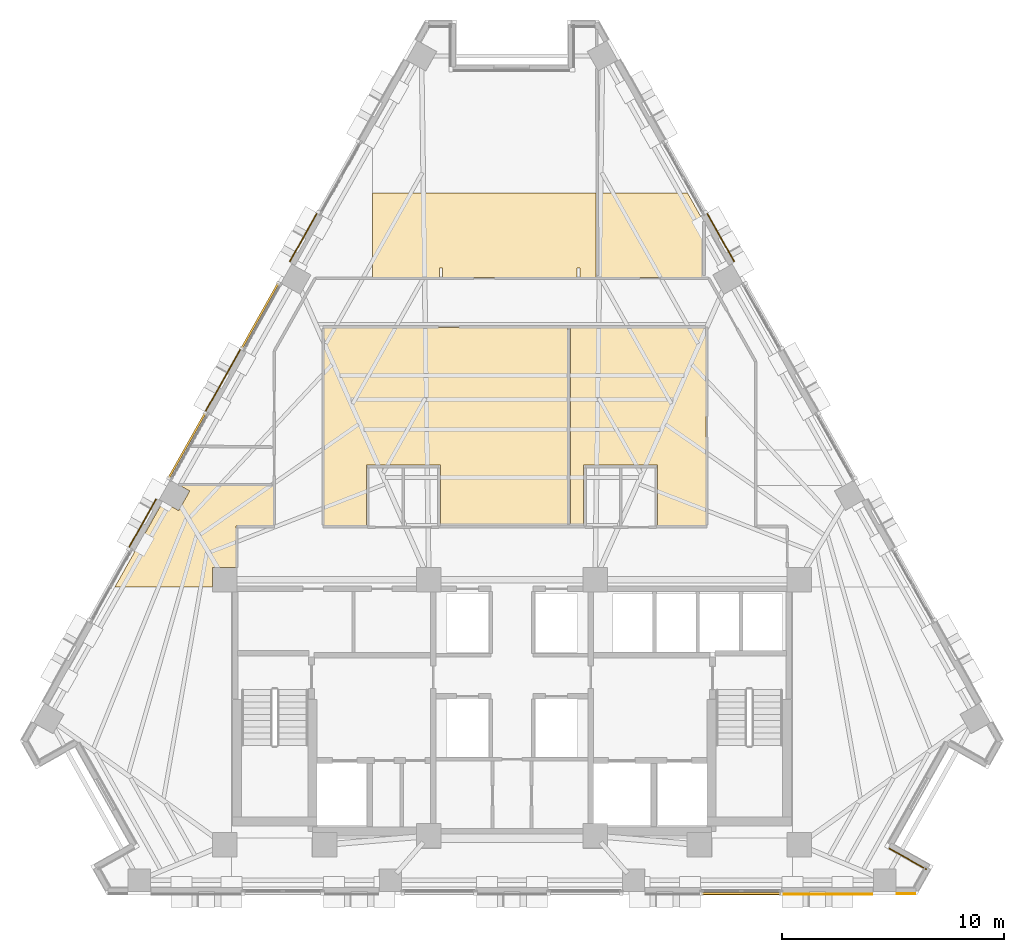
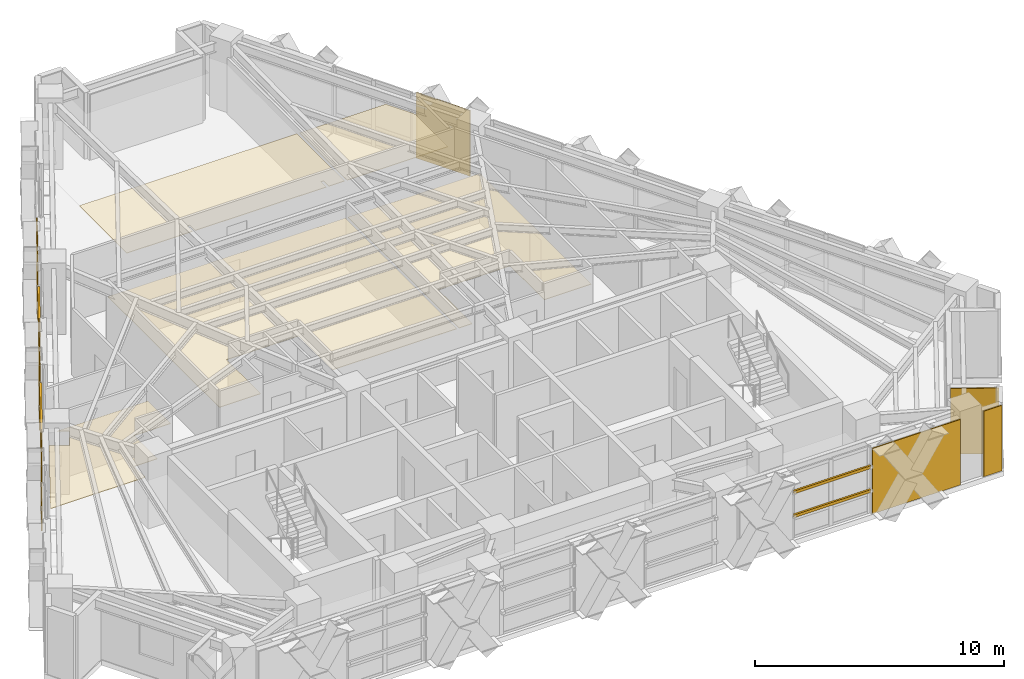
# One storey, part 12 of 14: 12 coverings, 6 shading devices.
"""IFC4 building model written with IfcOpenShell, lengths in metres."""

from ifc_helpers import new_model, si_unit, direction, frame, origin, origin_2d, place, context, subcontext, project, spatial, polyline, rectangle, outline, extrude, material, layer, layer_set, material_profile, profile_set, type_object, element, save


model = new_model("IFC4")

# Units and contexts
model_context = context("Model", 3, precision=1e-05, world=origin(), true_north=direction((0.0, 1.0)))
body_context = subcontext(model_context, "Body", "Model", "MODEL_VIEW")
ifc_project = project(units=[si_unit("LENGTHUNIT", "METRE"), si_unit("AREAUNIT", "SQUARE_METRE"), si_unit("VOLUMEUNIT", "CUBIC_METRE"), si_unit("PLANEANGLEUNIT", "RADIAN"), si_unit("MASSUNIT", "GRAM", prefix="KILO")], contexts=[model_context])

# Site, building, storey
site_placement = place(None, origin())
site = spatial("IfcSite", under=ifc_project, at=site_placement, CompositionType="ELEMENT")
building_placement = place(site_placement, origin())
building = spatial("IfcBuilding", under=site, at=building_placement, Name="Quenlor Broadcast Tower", CompositionType="ELEMENT")
storey_placement = place(building_placement, frame((0.0, 0.0, 154.5)))
storey = spatial("IfcBuildingStorey", under=building, at=storey_placement, Name="L42", CompositionType="ELEMENT", Elevation=154.5)

# Coverings
ifc_material_1 = material(Name="Acoustic Mineral Fibre Board", Category="other")
ifc_layer_1 = layer(ifc_material_1, 0.02490234375)
ifc_layer_set_1 = layer_set([ifc_layer_1], Name="Acoustic Perforated Mineral Tile Ceiling 25")
covering_type_1 = type_object("IfcCoveringType", Name="Acoustic Perforated Mineral Tile Ceiling 25", PredefinedType="CEILING", material=ifc_layer_set_1)
covering_1_placement = place(storey_placement, frame((0.0, 0.0, 2.375)))
element("IfcCovering", 1, at=covering_1_placement, inside=storey, type_object=covering_type_1, Name="L42 Acoustic Ceiling L42-31", PredefinedType="CEILING", context=body_context, shape_type="SweptSolid", body=[
    extrude(outline(polyline([(3.780029296875, 8.830078125), (3.06005859375, 8.830078125), (3.06005859375, 9.25), (2.93994140625, 9.25), (2.93994140625, 8.830078125), (-3.139892578125, 8.830078125), (-3.139892578125, 9.25), (-3.260009765625, 9.25), (-3.260009765625, 8.830078125), (-6.300048828125, 8.830078125), (-6.300048828125, 12.64990234375), (3.780029296875, 12.64990234375), (3.780029296875, 8.830078125)])), origin(), (0.0, 0.0, 1.0), 0.02490234375),
])
covering_2_placement = place(storey_placement, frame((0.0, 0.0, 2.375)))
element("IfcCovering", 2, at=covering_2_placement, inside=storey, type_object=covering_type_1, Name="L42 Acoustic Ceiling L42-32", PredefinedType="CEILING", context=body_context, shape_type="SweptSolid", body=[
    extrude(outline(polyline([(3.89990234375, 12.64990234375), (7.90673828125, 12.64990234375), (8.580078125, 11.453125), (8.580078125, 8.830078125), (3.89990234375, 8.830078125), (3.89990234375, 12.64990234375)])), origin(), (0.0, 0.0, 1.0), 0.02490234375),
])
covering_3_placement = place(storey_placement, frame((0.0, 0.0, 2.375)))
element("IfcCovering", 3, at=covering_3_placement, inside=storey, type_object=covering_type_1, Name="L42 Acoustic Ceiling L42-35", PredefinedType="CEILING", context=body_context, shape_type="SweptSolid", body=[
    extrude(outline(polyline([(6.570068359375, -2.3701171875), (6.570068359375, 0.3701171875), (3.22998046875, 0.3701171875), (3.22998046875, -2.3701171875), (2.909912109375, -2.3701171875), (2.631103515625, -2.3701171875), (2.631103515625, 6.570068359375), (2.909912109375, 6.570068359375), (8.7548828125, 6.570068359375), (8.7548828125, -2.3701171875), (6.570068359375, -2.3701171875)])), origin(), (0.0, 0.0, 1.0), 0.02490234375),
])
covering_4_placement = place(storey_placement, frame((0.0, 0.0, 2.375)))
element("IfcCovering", 4, at=covering_4_placement, inside=storey, type_object=covering_type_1, Name="L42 Acoustic Ceiling L42-36", PredefinedType="CEILING", context=body_context, shape_type="SweptSolid", body=[
    extrude(outline(polyline([(-3.22998046875, -2.3701171875), (-3.22998046875, 0.3701171875), (-3.2900390625, 0.3701171875), (-6.570068359375, 0.3701171875), (-6.570068359375, -2.3701171875), (-8.485107421875, -2.3701171875), (-8.485107421875, 6.570068359375), (-3.2900390625, 6.570068359375), (2.510986328125, 6.570068359375), (2.510986328125, -2.3701171875), (-3.22998046875, -2.3701171875)])), origin(), (0.0, 0.0, 1.0), 0.02490234375),
])
covering_5_placement = place(storey_placement, frame((0.0, 0.0, 2.375)))
element("IfcCovering", 5, at=covering_5_placement, inside=storey, type_object=covering_type_1, Name="L42 Acoustic Ceiling L42-38", PredefinedType="CEILING", context=body_context, shape_type="SweptSolid", body=[
    extrude(outline(polyline([(-15.7431640625, -1.281494140625), (-15.0302734375, -1.6826171875), (-14.5322265625, -0.797119140625), (-14.952880859375, -0.560302734375), (-10.7451171875, -0.560302734375), (-10.7451171875, -2.3701171875), (-12.43994140625, -2.3701171875), (-12.43994140625, -4.241943359375), (-13.508056640625, -4.241943359375), (-13.508056640625, -5.1201171875), (-17.90234375, -5.1201171875), (-15.7431640625, -1.281494140625)])), origin(), (0.0, 0.0, 1.0), 0.02490234375),
])

# Shading devices
ifc_material_2 = material(Name="Architectural Terracotta Ceramic", Category="masonry")
ifc_material_profile = material_profile(ifc_material_2, rectangle(XDim=0.090087890625, YDim=0.139892578125, at=origin_2d()))
ifc_profile_set = profile_set([ifc_material_profile], Name="Architectural Terracotta Ceramic BAG90x140")
shading_device_type = type_object("IfcShadingDeviceType", Name="Copper Terracotta Baguette Solar Screen 140", PredefinedType="USERDEFINED", material=ifc_profile_set)
for number, where, z_axis, x_axis, name in (
    (6, (12.114013671875, -18.952880859375, 1.169921875), (-1.0, 0.0, 0.0), (0.0, -1.0, 0.0), "L42 Terracotta Baguette Screen 1"),
    (7, (12.114013671875, -18.952880859375, 2.340087890625), (-1.0, 0.0, 0.0), (0.0, -1.0, 0.0), "L42 Terracotta Baguette Screen 2"),
):
    element("IfcShadingDevice", number, at=place(storey_placement, frame(where, z_axis=z_axis, x_axis=x_axis)), inside=storey, type_object=shading_device_type, Name=name, ObjectType="BAGUETTE", PredefinedType="USERDEFINED", context=body_context, shape_type="SweptSolid", body=[
        extrude(rectangle(XDim=0.090087890625, YDim=0.139892578125, at=origin_2d()), origin(), (0.0, 0.0, 1.0), 3.56396484375),
    ])
for number, where, z_axis, x_axis, name in (
    (8, (-15.4775390625, -0.211181640625, 1.169921875), (0.490288918116, 0.871559967399, 0.0), (-0.871559967399, 0.490288918116, 0.0), "L42 Terracotta Baguette Screen 1"),
    (9, (-15.4775390625, -0.211181640625, 2.340087890625), (0.490288918116, 0.871559967399, 0.0), (-0.871559967399, 0.490288918116, 0.0), "L42 Terracotta Baguette Screen 2"),
    (10, (-12.18310546875, 5.64501953125, 1.169921875), (0.490257780007, 0.871577483155, 0.0), (-0.871577483155, 0.490257780007, 0.0), "L42 Terracotta Baguette Screen 1"),
    (11, (-12.18310546875, 5.64501953125, 2.340087890625), (0.490257780007, 0.871577483155, 0.0), (-0.871577483155, 0.490257780007, 0.0), "L42 Terracotta Baguette Screen 2"),
):
    element("IfcShadingDevice", number, at=place(storey_placement, frame(where, z_axis=z_axis, x_axis=x_axis)), inside=storey, type_object=shading_device_type, Name=name, ObjectType="BAGUETTE", PredefinedType="USERDEFINED", context=body_context, shape_type="SweptSolid", body=[
        extrude(rectangle(XDim=0.090087890625, YDim=0.139892578125, at=origin_2d()), origin(), (0.0, 0.0, 1.0), 3.350341796875),
    ])

# Coverings
ifc_material_3 = material(Name="Architectural Terracotta Ceramic", Category="masonry")
ifc_layer_2 = layer(ifc_material_3, 0.044921875)
ifc_layer_set_2 = layer_set([ifc_layer_2], Name="Fluted Terracotta Rainscreen Cladding Panel")
covering_type_2 = type_object("IfcCoveringType", Name="Fluted Terracotta Rainscreen Cladding Panel", PredefinedType="CLADDING", material=ifc_layer_set_2)
covering_6_placement = place(storey_placement, frame((0.0, 0.0, 0.02001953125)))
element("IfcCovering", 12, at=covering_6_placement, inside=storey, type_object=covering_type_2, Name="L42 Terracotta Rainscreen Cladding L42-SHD-SS0", PredefinedType="CLADDING", context=body_context, shape_type="SweptSolid", body=[
    extrude(outline(polyline([(18.179931640625, -18.93701171875), (17.343505859375, -18.93701171875), (17.343505859375, -18.98193359375), (18.179931640625, -18.98193359375), (18.179931640625, -18.93701171875)])), origin(), (0.0, 0.0, 1.0), 3.2099609375),
])
covering_7_placement = place(storey_placement, frame((0.0, 0.0, 0.02001953125)))
element("IfcCovering", 13, at=covering_7_placement, inside=storey, type_object=covering_type_2, Name="L42 Terracotta Rainscreen Cladding L42-SA-SP1", PredefinedType="CLADDING", context=body_context, shape_type="SweptSolid", body=[
    extrude(outline(polyline([(16.25341796875, -18.95703125), (12.178955078125, -18.95703125), (12.178955078125, -19.001953125), (16.25341796875, -19.001953125), (16.25341796875, -18.95703125)])), origin(), (0.0, 0.0, 1.0), 3.2099609375),
])
covering_8_placement = place(storey_placement, frame((0.0, 0.0, 0.02001953125)))
element("IfcCovering", 14, at=covering_8_placement, inside=storey, type_object=covering_type_2, Name="L42 Terracotta Rainscreen Cladding L42-NEA-SP2", PredefinedType="CLADDING", context=body_context, shape_type="SweptSolid", body=[
    extrude(outline(polyline([(8.7705078125, 11.720458984375), (10.0, 9.53466796875), (10.039306640625, 9.556640625), (8.809814453125, 11.742431640625), (8.7705078125, 11.720458984375)])), origin(), (0.0, 0.0, 1.0), 3.2099609375),
])
covering_9_placement = place(storey_placement, frame((0.0, 0.0, 0.02001953125)))
element("IfcCovering", 15, at=covering_9_placement, inside=storey, type_object=covering_type_2, Name="L42 Terracotta Rainscreen Cladding L42-NWA-SP2", PredefinedType="CLADDING", context=body_context, shape_type="SweptSolid", body=[
    extrude(outline(polyline([(-17.254638671875, -3.362548828125), (-16.025146484375, -1.1767578125), (-16.064453125, -1.15478515625), (-17.2939453125, -3.340576171875), (-17.254638671875, -3.362548828125)])), origin(), (0.0, 0.0, 1.0), 3.2099609375),
])
covering_10_placement = place(storey_placement, frame((0.0, 0.0, 0.02001953125)))
element("IfcCovering", 16, at=covering_10_placement, inside=storey, type_object=covering_type_2, Name="L42 Terracotta Rainscreen Cladding L42-NWC-SP1", PredefinedType="CLADDING", context=body_context, shape_type="SweptSolid", body=[
    extrude(outline(polyline([(-10.0, 9.53466796875), (-8.7705078125, 11.720458984375), (-8.809814453125, 11.742431640625), (-10.039306640625, 9.556640625), (-10.0, 9.53466796875)])), origin(), (0.0, 0.0, 1.0), 3.2099609375),
])
covering_11_placement = place(storey_placement, frame((0.0, 0.0, 0.02001953125)))
element("IfcCovering", 17, at=covering_11_placement, inside=storey, type_object=covering_type_2, Name="L42 Terracotta Rainscreen Cladding L42-NW-SP1", PredefinedType="CLADDING", context=body_context, shape_type="SweptSolid", body=[
    extrude(outline(polyline([(-13.806396484375, 2.767333984375), (-12.218505859375, 5.59033203125), (-12.2578125, 5.6123046875), (-13.845703125, 2.789306640625), (-13.806396484375, 2.767333984375)])), origin(), (0.0, 0.0, 1.0), 3.2099609375),
])
covering_12_placement = place(storey_placement, frame((0.0, 0.0, 0.02001953125)))
element("IfcCovering", 18, at=covering_12_placement, inside=storey, type_object=covering_type_2, Name="L42 Terracotta Rainscreen Cladding L42-CNR-01", PredefinedType="CLADDING", context=body_context, shape_type="SweptSolid", body=[
    extrude(outline(polyline([(18.702880859375, -17.8427734375), (17.011962890625, -16.8916015625), (16.989990234375, -16.930908203125), (18.680908203125, -17.882080078125), (18.702880859375, -17.8427734375)])), origin(), (0.0, 0.0, 1.0), 3.2099609375),
])

save(model, "model.ifc")
